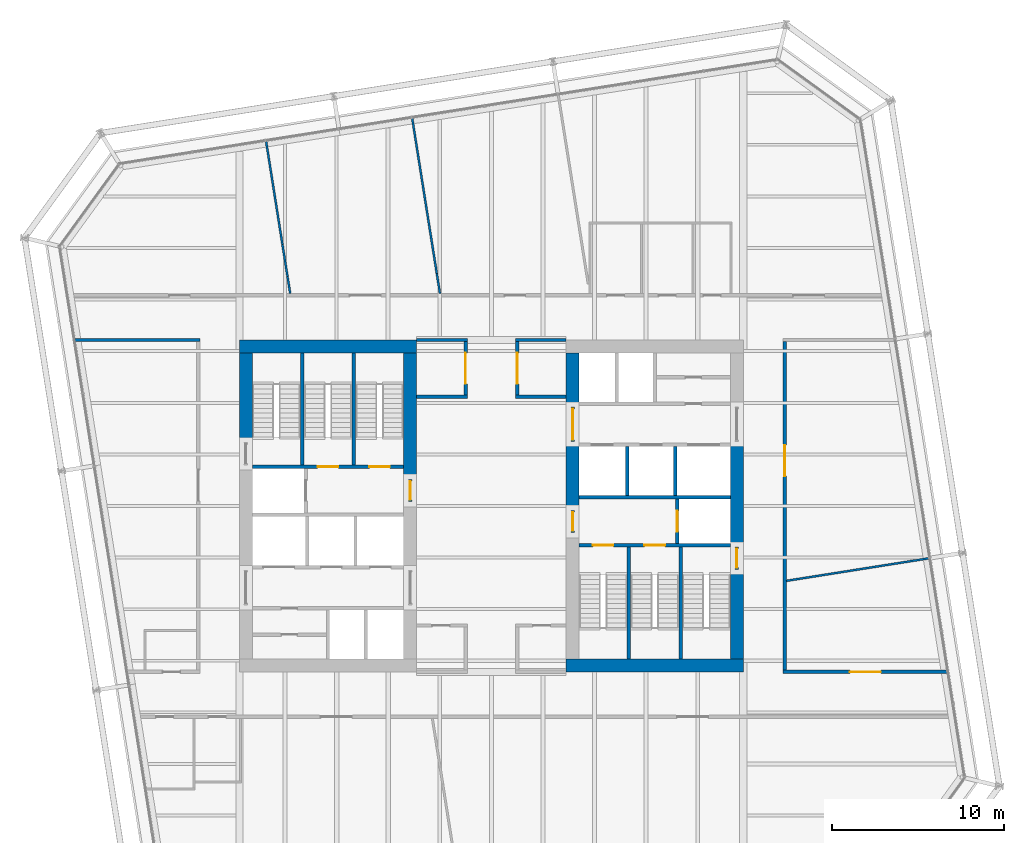
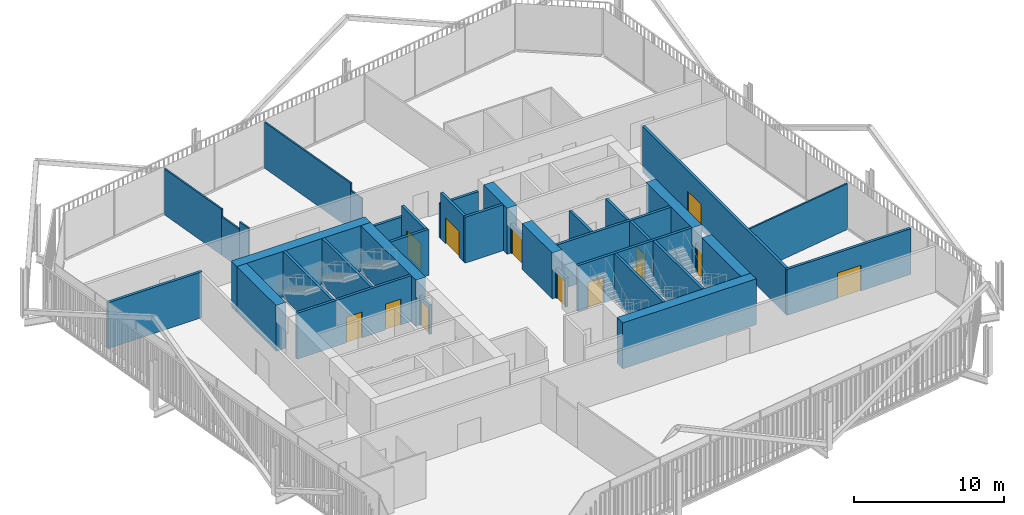
# One storey, part 19 of 22: 37 walls, 13 doors, 13 openings.
"""IFC4 building model written with IfcOpenShell, lengths in metres."""

from ifc_helpers import new_model, si_unit, direction, frame, frame_2d, origin, place, context, subcontext, project, spatial, rectangle, extrude, material, layer, layer_set, type_object, element, fill, save


model = new_model("IFC4")

# Units and contexts
model_context = context("Model", 3, precision=1e-05, world=origin(), true_north=direction((0.0, 1.0)))
body_context = subcontext(model_context, "Body", "Model", "MODEL_VIEW")
ifc_project = project(units=[si_unit("LENGTHUNIT", "METRE"), si_unit("AREAUNIT", "SQUARE_METRE"), si_unit("VOLUMEUNIT", "CUBIC_METRE"), si_unit("PLANEANGLEUNIT", "RADIAN"), si_unit("MASSUNIT", "GRAM", prefix="KILO")], contexts=[model_context])

# Site, building, storey
site_placement = place(None, origin())
site = spatial("IfcSite", under=ifc_project, at=site_placement, CompositionType="ELEMENT")
building_placement = place(site_placement, origin())
building = spatial("IfcBuilding", under=site, at=building_placement, Name="Millrace Tower", CompositionType="ELEMENT")
storey_placement = place(building_placement, frame((0.0, 0.0, 152.89990234375)))
storey = spatial("IfcBuildingStorey", under=building, at=storey_placement, Name="L34", CompositionType="ELEMENT", Elevation=152.89990234375)

# Walls
ifc_material_1 = material(Name="Concrete C70", Category="concrete")
ifc_layer_1 = layer(ifc_material_1, 0.75)
ifc_layer_set_1 = layer_set([ifc_layer_1], Name="Concrete C70")
wall_type_1 = type_object("IfcWallType", Name="Core wall 750 Concrete C70", PredefinedType="SHEAR", material=ifc_layer_set_1)
wall_1_placement = place(storey_placement, frame((-14.64990234375, 9.27490234375, 0.0), z_axis=(0.0, 0.0, 1.0), x_axis=(1.0, 0.0, 0.0)))
element("IfcWall", 1, at=wall_1_placement, inside=storey, type_object=wall_type_1, Name="Core wall W L34", PredefinedType="SHEAR", context=body_context, shape_type="SweptSolid", body=[
    extrude(rectangle(XDim=10.2998046875, YDim=0.75, at=frame_2d((5.14990234375, 0.0))), origin(), (0.0, 0.0, 1.0), 3.739990234375),
])
wall_2_placement = place(storey_placement, frame((-14.27490234375, 3.679931640625, 0.0), z_axis=(0.0, 0.0, 1.0), x_axis=(0.0, 1.0, 0.0)))
element("IfcWall", 2, at=wall_2_placement, inside=storey, type_object=wall_type_1, Name="Core wall W L34", PredefinedType="SHEAR", context=body_context, shape_type="SweptSolid", body=[
    extrude(rectangle(XDim=5.219970703125, YDim=0.75, at=frame_2d((2.60986328125, 0.0))), origin(), (0.0, 0.0, 1.0), 3.739990234375),
])
wall_3_placement = place(storey_placement, frame((-4.72509765625, 1.550048828125, 0.0), z_axis=(0.0, 0.0, 1.0), x_axis=(0.0, 1.0, 0.0)))
element("IfcWall", 3, at=wall_3_placement, inside=storey, type_object=wall_type_1, Name="Core wall W L34", PredefinedType="SHEAR", context=body_context, shape_type="SweptSolid", body=[
    extrude(rectangle(XDim=7.349853515625, YDim=0.75, at=frame_2d((3.6748046875, 0.0))), origin(), (0.0, 0.0, 1.0), 3.739990234375),
])
wall_4_placement = place(storey_placement, frame((14.64990234375, -9.27490234375, 0.0), z_axis=(0.0, 0.0, 1.0), x_axis=(-1.0, 0.0, 0.0)))
element("IfcWall", 4, at=wall_4_placement, inside=storey, type_object=wall_type_1, Name="Core wall E L34", PredefinedType="SHEAR", context=body_context, shape_type="SweptSolid", body=[
    extrude(rectangle(XDim=10.2998046875, YDim=0.75, at=frame_2d((5.14990234375, 0.0))), origin(), (0.0, 0.0, 1.0), 3.739990234375),
])
wall_5_placement = place(storey_placement, frame((14.27490234375, 3.75, 0.0), z_axis=(0.0, 0.0, 1.0), x_axis=(0.0, -1.0, 0.0)))
element("IfcWall", 5, at=wall_5_placement, inside=storey, type_object=wall_type_1, Name="Core wall E L34", PredefinedType="SHEAR", context=body_context, shape_type="SweptSolid", body=[
    extrude(rectangle(XDim=6.1298828125, YDim=0.75, at=frame_2d((3.06494140625, 0.0))), origin(), (0.0, 0.0, 1.0), 3.739990234375),
])
wall_6_placement = place(storey_placement, frame((14.27490234375, -3.679931640625, 0.0), z_axis=(0.0, 0.0, 1.0), x_axis=(0.0, -1.0, 0.0)))
element("IfcWall", 6, at=wall_6_placement, inside=storey, type_object=wall_type_1, Name="Core wall E L34", PredefinedType="SHEAR", context=body_context, shape_type="SweptSolid", body=[
    extrude(rectangle(XDim=5.219970703125, YDim=0.75, at=frame_2d((2.60986328125, 0.0))), origin(), (0.0, 0.0, 1.0), 3.739990234375),
])
wall_7_placement = place(storey_placement, frame((4.72509765625, 8.89990234375, 0.0), z_axis=(0.0, 0.0, 1.0), x_axis=(0.0, -1.0, 0.0)))
element("IfcWall", 7, at=wall_7_placement, inside=storey, type_object=wall_type_1, Name="Core wall E L34", PredefinedType="SHEAR", context=body_context, shape_type="SweptSolid", body=[
    extrude(rectangle(XDim=3.14990234375, YDim=0.75, at=frame_2d((1.574951171875, 0.0))), origin(), (0.0, 0.0, 1.0), 3.739990234375),
])
wall_8_placement = place(storey_placement, frame((4.72509765625, 3.75, 0.0), z_axis=(0.0, 0.0, 1.0), x_axis=(0.0, -1.0, 0.0)))
element("IfcWall", 8, at=wall_8_placement, inside=storey, type_object=wall_type_1, Name="Core wall E L34", PredefinedType="SHEAR", context=body_context, shape_type="SweptSolid", body=[
    extrude(rectangle(XDim=4.0, YDim=0.75, at=frame_2d((2.0, 0.0))), origin(), (0.0, 0.0, 1.0), 3.739990234375),
])

# Wall, opening, door
ifc_material_2 = material(Name="Masonry partition, fire-rated", Category="masonry")
ifc_layer_2 = layer(ifc_material_2, 0.199951171875)
ifc_layer_set_2 = layer_set([ifc_layer_2], Name="Masonry partition, fire-rated")
wall_type_2 = type_object("IfcWallType", Name="Corridor wall 200", PredefinedType="PARTITIONING", material=ifc_layer_set_2)
wall_9_placement = place(storey_placement, frame((16.949951171875, -9.64990234375, 0.0), z_axis=(0.0, 0.0, 1.0), x_axis=(1.0, 0.0, 0.0)))
wall_9 = element("IfcWall", 9, at=wall_9_placement, inside=storey, type_object=wall_type_2, Name="Corridor wall L34", PredefinedType="PARTITIONING", context=body_context, shape_type="SweptSolid", body=[
    extrude(rectangle(XDim=9.54638671875, YDim=0.199951171875, at=frame_2d((4.773193359375, 0.0))), origin(), (0.0, 0.0, 1.0), 3.739990234375),
])
opening_1_placement = place(wall_9_placement, frame((3.89794921875, 0.0, 0.0)))
opening_1 = element("IfcOpeningElement", 10, at=opening_1_placement, cuts=wall_9, Name="Opening 34-P012", PredefinedType="OPENING", context=body_context, shape_type="SweptSolid", body=[
    extrude(rectangle(XDim=1.800048828125, YDim=2.10009765625, at=frame_2d((0.89990234375, 1.050048828125))), frame((0.0, 0.10986328125, 0.0), z_axis=(0.0, -1.0, 0.0), x_axis=(1.0, 0.0, 0.0)), (0.0, 0.0, 1.0), 0.219970703125),
])
ifc_material_3 = material(Name="Steel door set, fire-rated", Category="steel")
door_type_1 = type_object("IfcDoorType", Name="Corridor door 1800 x 2100", OperationType="DOUBLE_DOOR_SINGLE_SWING", PredefinedType="DOOR", material=ifc_material_3)
door_1_placement = place(opening_1_placement, origin())
door_1 = element("IfcDoor", 11, at=door_1_placement, inside=storey, type_object=door_type_1, Name="Door 34-P012", OperationType="DOUBLE_DOOR_SINGLE_SWING", OverallHeight=2.10009765625, OverallWidth=1.800048828125, PredefinedType="DOOR", context=body_context, shape_type="SweptSolid", body=[
    extrude(rectangle(XDim=1.800048828125, YDim=2.10009765625, at=frame_2d((0.89990234375, 1.050048828125))), frame((0.0, 0.02490234375, 0.0), z_axis=(0.0, -1.0, 0.0), x_axis=(1.0, 0.0, 0.0)), (0.0, 0.0, 1.0), 0.050048828125),
])
fill(opening_1, door_1)

# Walls
for number, where, z_axis, x_axis, name in (
    (12, (-4.35009765625, 6.35009765625, 0.0), (0.0, 0.0, 1.0), (1.0, 0.0, 0.0), "Corridor wall L34"),
    (13, (1.39990234375, 6.35009765625, 0.0), (0.0, 0.0, 1.0), (1.0, 0.0, 0.0), "Corridor wall L34"),
):
    element("IfcWall", number, at=place(storey_placement, frame(where, z_axis=z_axis, x_axis=x_axis)), inside=storey, type_object=wall_type_2, Name=name, PredefinedType="PARTITIONING", context=body_context, shape_type="SweptSolid", body=[
        extrude(rectangle(XDim=2.9501953125, YDim=0.199951171875, at=frame_2d((1.47509765625, 0.0))), origin(), (0.0, 0.0, 1.0), 3.739990234375),
    ])
wall_10_placement = place(storey_placement, frame((-24.20703125, 9.64990234375, 0.0), z_axis=(0.0, 0.0, 1.0), x_axis=(1.0, 0.0, 0.0)))
element("IfcWall", 14, at=wall_10_placement, inside=storey, type_object=wall_type_2, Name="Corridor wall L34", PredefinedType="PARTITIONING", context=body_context, shape_type="SweptSolid", body=[
    extrude(rectangle(XDim=7.257080078125, YDim=0.199951171875, at=frame_2d((3.62841796875, 0.0))), origin(), (0.0, 0.0, 1.0), 3.739990234375),
])
for number, where, z_axis, x_axis, name in (
    (15, (-4.35009765625, 9.64990234375, 0.0), (0.0, 0.0, 1.0), (1.0, 0.0, 0.0), "Corridor wall L34"),
    (16, (1.39990234375, 9.64990234375, 0.0), (0.0, 0.0, 1.0), (1.0, 0.0, 0.0), "Corridor wall L34"),
):
    element("IfcWall", number, at=place(storey_placement, frame(where, z_axis=z_axis, x_axis=x_axis)), inside=storey, type_object=wall_type_2, Name=name, PredefinedType="PARTITIONING", context=body_context, shape_type="SweptSolid", body=[
        extrude(rectangle(XDim=2.9501953125, YDim=0.199951171875, at=frame_2d((1.47509765625, 0.0))), origin(), (0.0, 0.0, 1.0), 2.81298828125),
    ])

# Wall, opening, door
wall_11_placement = place(storey_placement, frame((17.050048828125, -9.550048828125, 0.0), z_axis=(0.0, 0.0, 1.0), x_axis=(0.0, 1.0, 0.0)))
wall_11 = element("IfcWall", 17, at=wall_11_placement, inside=storey, type_object=wall_type_2, Name="Corridor wall L34", PredefinedType="PARTITIONING", context=body_context, shape_type="SweptSolid", body=[
    extrude(rectangle(XDim=19.10009765625, YDim=0.199951171875, at=frame_2d((9.550048828125, 0.0))), origin(), (0.0, 0.0, 1.0), 3.739990234375),
])
opening_2_placement = place(wall_11_placement, frame((11.2900390625, 0.0, 0.0)))
opening_2 = element("IfcOpeningElement", 18, at=opening_2_placement, cuts=wall_11, Name="Opening 34-P013", PredefinedType="OPENING", context=body_context, shape_type="SweptSolid", body=[
    extrude(rectangle(XDim=1.800048828125, YDim=2.10009765625, at=frame_2d((0.89990234375, 1.050048828125))), frame((0.0, 0.10986328125, 0.0), z_axis=(0.0, -1.0, 0.0), x_axis=(1.0, 0.0, 0.0)), (0.0, 0.0, 1.0), 0.219970703125),
])
door_2_placement = place(opening_2_placement, frame((1.800048828125, 0.0, 0.0), z_axis=(0.0, 0.0, 1.0), x_axis=(-1.0, 0.0, 0.0)))
door_2 = element("IfcDoor", 19, at=door_2_placement, inside=storey, type_object=door_type_1, Name="Door 34-P013", OperationType="DOUBLE_DOOR_SINGLE_SWING", OverallHeight=2.10009765625, OverallWidth=1.800048828125, PredefinedType="DOOR", context=body_context, shape_type="SweptSolid", body=[
    extrude(rectangle(XDim=1.800048828125, YDim=2.10009765625, at=frame_2d((0.89990234375, 1.050048828125))), frame((0.0, 0.02490234375, 0.0), z_axis=(0.0, -1.0, 0.0), x_axis=(1.0, 0.0, 0.0)), (0.0, 0.0, 1.0), 0.050048828125),
])
fill(opening_2, door_2)

wall_12_placement = place(storey_placement, frame((1.5, 6.449951171875, 0.0), z_axis=(0.0, 0.0, 1.0), x_axis=(0.0, 1.0, 0.0)))
wall_12 = element("IfcWall", 20, at=wall_12_placement, inside=storey, type_object=wall_type_2, Name="Corridor wall L34", PredefinedType="PARTITIONING", context=body_context, shape_type="SweptSolid", body=[
    extrude(rectangle(XDim=3.10009765625, YDim=0.199951171875, at=frame_2d((1.550048828125, 0.0))), origin(), (0.0, 0.0, 1.0), 3.739990234375),
])
opening_3_placement = place(wall_12_placement, frame((0.64990234375, 0.0, 0.0)))
opening_3 = element("IfcOpeningElement", 21, at=opening_3_placement, cuts=wall_12, Name="Opening 34-P002", PredefinedType="OPENING", context=body_context, shape_type="SweptSolid", body=[
    extrude(rectangle(XDim=1.800048828125, YDim=2.10009765625, at=frame_2d((0.89990234375, 1.050048828125))), frame((0.0, 0.10986328125, 0.0), z_axis=(0.0, -1.0, 0.0), x_axis=(1.0, 0.0, 0.0)), (0.0, 0.0, 1.0), 0.219970703125),
])
ifc_material_4 = material(Name="Steel door set, fire-rated", Category="steel")
door_type_2 = type_object("IfcDoorType", Name="Data hall door 1800 x 2100", OperationType="DOUBLE_DOOR_SINGLE_SWING", PredefinedType="DOOR", material=ifc_material_4)
door_3_placement = place(opening_3_placement, frame((1.800048828125, 0.0, 0.0), z_axis=(0.0, 0.0, 1.0), x_axis=(-1.0, 0.0, 0.0)))
door_3 = element("IfcDoor", 22, at=door_3_placement, inside=storey, type_object=door_type_2, Name="Door 34-P002", OperationType="DOUBLE_DOOR_SINGLE_SWING", OverallHeight=2.10009765625, OverallWidth=1.800048828125, PredefinedType="DOOR", context=body_context, shape_type="SweptSolid", body=[
    extrude(rectangle(XDim=1.800048828125, YDim=2.10009765625, at=frame_2d((0.89990234375, 1.050048828125))), frame((0.0, 0.02490234375, 0.0), z_axis=(0.0, -1.0, 0.0), x_axis=(1.0, 0.0, 0.0)), (0.0, 0.0, 1.0), 0.050048828125),
])
fill(opening_3, door_3)

wall_13_placement = place(storey_placement, frame((-1.5, 6.449951171875, 0.0), z_axis=(0.0, 0.0, 1.0), x_axis=(0.0, 1.0, 0.0)))
wall_13 = element("IfcWall", 23, at=wall_13_placement, inside=storey, type_object=wall_type_2, Name="Corridor wall L34", PredefinedType="PARTITIONING", context=body_context, shape_type="SweptSolid", body=[
    extrude(rectangle(XDim=3.10009765625, YDim=0.199951171875, at=frame_2d((1.550048828125, 0.0))), origin(), (0.0, 0.0, 1.0), 3.739990234375),
])
opening_4_placement = place(wall_13_placement, frame((0.64990234375, 0.0, 0.0)))
opening_4 = element("IfcOpeningElement", 24, at=opening_4_placement, cuts=wall_13, Name="Opening 34-P001", PredefinedType="OPENING", context=body_context, shape_type="SweptSolid", body=[
    extrude(rectangle(XDim=1.800048828125, YDim=2.10009765625, at=frame_2d((0.89990234375, 1.050048828125))), frame((0.0, 0.10986328125, 0.0), z_axis=(0.0, -1.0, 0.0), x_axis=(1.0, 0.0, 0.0)), (0.0, 0.0, 1.0), 0.219970703125),
])
door_4_placement = place(opening_4_placement, origin())
door_4 = element("IfcDoor", 25, at=door_4_placement, inside=storey, type_object=door_type_2, Name="Door 34-P001", OperationType="DOUBLE_DOOR_SINGLE_SWING", OverallHeight=2.10009765625, OverallWidth=1.800048828125, PredefinedType="DOOR", context=body_context, shape_type="SweptSolid", body=[
    extrude(rectangle(XDim=1.800048828125, YDim=2.10009765625, at=frame_2d((0.89990234375, 1.050048828125))), frame((0.0, 0.02490234375, 0.0), z_axis=(0.0, -1.0, 0.0), x_axis=(1.0, 0.0, 0.0)), (0.0, 0.0, 1.0), 0.050048828125),
])
fill(opening_4, door_4)

# Wall
ifc_material_5 = material(Name="Masonry partition, fire-rated", Category="masonry")
ifc_layer_3 = layer(ifc_material_5, 0.199951171875)
ifc_layer_set_3 = layer_set([ifc_layer_3], Name="Masonry partition, fire-rated")
wall_type_3 = type_object("IfcWallType", Name="Lift shaft wall 200", PredefinedType="PARTITIONING", material=ifc_layer_set_3)
wall_14_placement = place(storey_placement, frame((13.89990234375, 0.5, 0.0), z_axis=(0.0, 0.0, 1.0), x_axis=(-1.0, 0.0, 0.0)))
element("IfcWall", 26, at=wall_14_placement, inside=storey, type_object=wall_type_3, Name="Lift shaft wall E L34", PredefinedType="PARTITIONING", context=body_context, shape_type="SweptSolid", body=[
    extrude(rectangle(XDim=8.7998046875, YDim=0.199951171875, at=frame_2d((4.39990234375, 0.0))), origin(), (0.0, 0.0, 1.0), 3.739990234375),
])

# Wall, opening, door
wall_15_placement = place(storey_placement, frame((10.800048828125, 0.39990234375, 0.0), z_axis=(0.0, 0.0, 1.0), x_axis=(0.0, -1.0, 0.0)))
wall_15 = element("IfcWall", 27, at=wall_15_placement, inside=storey, type_object=wall_type_3, Name="Lift shaft wall E L34", PredefinedType="PARTITIONING", context=body_context, shape_type="SweptSolid", body=[
    extrude(rectangle(XDim=2.579833984375, YDim=0.199951171875, at=frame_2d((1.2900390625, 0.0))), origin(), (0.0, 0.0, 1.0), 3.739990234375),
])
opening_5_placement = place(wall_15_placement, frame((0.68994140625, 0.0, 0.0)))
opening_5 = element("IfcOpeningElement", 28, at=opening_5_placement, cuts=wall_15, Name="Opening 34-LD16", PredefinedType="OPENING", context=body_context, shape_type="SweptSolid", body=[
    extrude(rectangle(XDim=1.199951171875, YDim=2.10009765625, at=frame_2d((0.60009765625, 1.050048828125))), frame((0.0, 0.10986328125, 0.0), z_axis=(0.0, -1.0, 0.0), x_axis=(1.0, 0.0, 0.0)), (0.0, 0.0, 1.0), 0.219970703125),
])
ifc_material_6 = material(Name="Stainless steel, fire-rated", Category="steel")
door_type_3 = type_object("IfcDoorType", Name="Lift landing door 1200 x 2100", OperationType="DOUBLE_DOOR_SLIDING", PredefinedType="DOOR", material=ifc_material_6)
door_5_placement = place(opening_5_placement, origin())
door_5 = element("IfcDoor", 29, at=door_5_placement, inside=storey, type_object=door_type_3, Name="Lift landing door LF16 L34", OperationType="DOUBLE_DOOR_SLIDING", OverallHeight=2.10009765625, OverallWidth=1.199951171875, PredefinedType="DOOR", context=body_context, shape_type="SweptSolid", body=[
    extrude(rectangle(XDim=1.199951171875, YDim=2.10009765625, at=frame_2d((0.60009765625, 1.050048828125))), frame((0.0, 0.02490234375, 0.0), z_axis=(0.0, -1.0, 0.0), x_axis=(1.0, 0.0, 0.0)), (0.0, 0.0, 1.0), 0.050048828125),
])
fill(opening_5, door_5)

# Walls
for number, where, z_axis, x_axis, name in (
    (30, (10.699951171875, 3.449951171875, 0.0), (0.0, 0.0, 1.0), (0.0, -1.0, 0.0), "Lift shaft wall E L34"),
    (31, (7.89990234375, 3.449951171875, 0.0), (0.0, 0.0, 1.0), (0.0, -1.0, 0.0), "Lift shaft wall E L34"),
):
    element("IfcWall", number, at=place(storey_placement, frame(where, z_axis=z_axis, x_axis=x_axis)), inside=storey, type_object=wall_type_3, Name=name, PredefinedType="PARTITIONING", context=body_context, shape_type="SweptSolid", body=[
        extrude(rectangle(XDim=2.849853515625, YDim=0.199951171875, at=frame_2d((1.4248046875, 0.0))), origin(), (0.0, 0.0, 1.0), 3.739990234375),
    ])

# Wall, opening, door
ifc_material_7 = material(Name="Masonry partition, fire-rated", Category="masonry")
ifc_layer_4 = layer(ifc_material_7, 0.199951171875)
ifc_layer_set_4 = layer_set([ifc_layer_4], Name="Masonry partition, fire-rated")
wall_type_4 = type_object("IfcWallType", Name="Lobby wall 200", PredefinedType="PARTITIONING", material=ifc_layer_set_4)
wall_16_placement = place(storey_placement, frame((-4.72509765625, 0.25, 0.0), z_axis=(0.0, 0.0, 1.0), x_axis=(0.0, 1.0, 0.0)))
wall_16 = element("IfcWall", 32, at=wall_16_placement, inside=storey, type_object=wall_type_4, Name="Lobby wall W L34", PredefinedType="PARTITIONING", context=body_context, shape_type="SweptSolid", body=[
    extrude(rectangle(XDim=1.300048828125, YDim=0.199951171875, at=frame_2d((0.64990234375, 0.0))), origin(), (0.0, 0.0, 1.0), 2.400146484375),
])
opening_6_placement = place(wall_16_placement, frame((0.10009765625, 0.0, 0.0)))
opening_6 = element("IfcOpeningElement", 33, at=opening_6_placement, cuts=wall_16, Name="Opening 34-C004", PredefinedType="OPENING", context=body_context, shape_type="SweptSolid", body=[
    extrude(rectangle(XDim=1.10009765625, YDim=2.10009765625, at=frame_2d((0.550048828125, 1.050048828125))), frame((0.0, 0.10986328125, 0.0), z_axis=(0.0, -1.0, 0.0), x_axis=(1.0, 0.0, 0.0)), (0.0, 0.0, 1.0), 0.219970703125),
])
ifc_material_8 = material(Name="Steel door, fire-rated", Category="steel")
door_type_4 = type_object("IfcDoorType", Name="Lobby door 1100 x 2100", OperationType="SINGLE_SWING_LEFT", PredefinedType="DOOR", material=ifc_material_8)
door_6_placement = place(opening_6_placement, origin())
door_6 = element("IfcDoor", 34, at=door_6_placement, inside=storey, type_object=door_type_4, Name="Lobby door 34-C004", OperationType="SINGLE_SWING_LEFT", OverallHeight=2.10009765625, OverallWidth=1.10009765625, PredefinedType="DOOR", context=body_context, shape_type="SweptSolid", body=[
    extrude(rectangle(XDim=1.10009765625, YDim=2.10009765625, at=frame_2d((0.550048828125, 1.050048828125))), frame((0.0, 0.02490234375, 0.0), z_axis=(0.0, -1.0, 0.0), x_axis=(1.0, 0.0, 0.0)), (0.0, 0.0, 1.0), 0.050048828125),
])
fill(opening_6, door_6)

wall_17_placement = place(storey_placement, frame((4.72509765625, 5.75, 0.0), z_axis=(0.0, 0.0, 1.0), x_axis=(0.0, -1.0, 0.0)))
wall_17 = element("IfcWall", 35, at=wall_17_placement, inside=storey, type_object=wall_type_4, Name="Lobby wall E L34", PredefinedType="PARTITIONING", context=body_context, shape_type="SweptSolid", body=[
    extrude(rectangle(XDim=2.0, YDim=0.199951171875, at=frame_2d((1.0, 0.0))), origin(), (0.0, 0.0, 1.0), 2.400146484375),
])
opening_7_placement = place(wall_17_placement, frame((0.10009765625, 0.0, 0.0)))
opening_7 = element("IfcOpeningElement", 36, at=opening_7_placement, cuts=wall_17, Name="Opening 34-C011", PredefinedType="OPENING", context=body_context, shape_type="SweptSolid", body=[
    extrude(rectangle(XDim=1.800048828125, YDim=2.10009765625, at=frame_2d((0.89990234375, 1.050048828125))), frame((0.0, 0.10986328125, 0.0), z_axis=(0.0, -1.0, 0.0), x_axis=(1.0, 0.0, 0.0)), (0.0, 0.0, 1.0), 0.219970703125),
])
ifc_material_9 = material(Name="Steel door, fire-rated", Category="steel")
door_type_5 = type_object("IfcDoorType", Name="Lobby door 1800 x 2100", OperationType="DOUBLE_DOOR_SINGLE_SWING", PredefinedType="DOOR", material=ifc_material_9)
door_7_placement = place(opening_7_placement, origin())
door_7 = element("IfcDoor", 37, at=door_7_placement, inside=storey, type_object=door_type_5, Name="Lobby door 34-C011", OperationType="DOUBLE_DOOR_SINGLE_SWING", OverallHeight=2.10009765625, OverallWidth=1.800048828125, PredefinedType="DOOR", context=body_context, shape_type="SweptSolid", body=[
    extrude(rectangle(XDim=1.800048828125, YDim=2.10009765625, at=frame_2d((0.89990234375, 1.050048828125))), frame((0.0, 0.02490234375, 0.0), z_axis=(0.0, -1.0, 0.0), x_axis=(1.0, 0.0, 0.0)), (0.0, 0.0, 1.0), 0.050048828125),
])
fill(opening_7, door_7)

wall_18_placement = place(storey_placement, frame((4.72509765625, -0.25, 0.0), z_axis=(0.0, 0.0, 1.0), x_axis=(0.0, -1.0, 0.0)))
wall_18 = element("IfcWall", 38, at=wall_18_placement, inside=storey, type_object=wall_type_4, Name="Lobby wall E L34", PredefinedType="PARTITIONING", context=body_context, shape_type="SweptSolid", body=[
    extrude(rectangle(XDim=1.300048828125, YDim=0.199951171875, at=frame_2d((0.64990234375, 0.0))), origin(), (0.0, 0.0, 1.0), 2.400146484375),
])
opening_8_placement = place(wall_18_placement, frame((0.10009765625, 0.0, 0.0)))
opening_8 = element("IfcOpeningElement", 39, at=opening_8_placement, cuts=wall_18, Name="Opening 34-C012", PredefinedType="OPENING", context=body_context, shape_type="SweptSolid", body=[
    extrude(rectangle(XDim=1.10009765625, YDim=2.10009765625, at=frame_2d((0.550048828125, 1.050048828125))), frame((0.0, 0.10986328125, 0.0), z_axis=(0.0, -1.0, 0.0), x_axis=(1.0, 0.0, 0.0)), (0.0, 0.0, 1.0), 0.219970703125),
])
door_8_placement = place(opening_8_placement, origin())
door_8 = element("IfcDoor", 40, at=door_8_placement, inside=storey, type_object=door_type_4, Name="Lobby door 34-C012", OperationType="SINGLE_SWING_RIGHT", OverallHeight=2.10009765625, OverallWidth=1.10009765625, PredefinedType="DOOR", context=body_context, shape_type="SweptSolid", body=[
    extrude(rectangle(XDim=1.10009765625, YDim=2.10009765625, at=frame_2d((0.550048828125, 1.050048828125))), frame((0.0, 0.02490234375, 0.0), z_axis=(0.0, -1.0, 0.0), x_axis=(1.0, 0.0, 0.0)), (0.0, 0.0, 1.0), 0.050048828125),
])
fill(opening_8, door_8)

# Walls
ifc_material_10 = material(Name="Gypsum board partition")
ifc_layer_5 = layer(ifc_material_10, 0.1201171875)
ifc_layer_set_5 = layer_set([ifc_layer_5], Name="Gypsum board partition")
wall_type_5 = type_object("IfcWallType", Name="Partition wall 120", PredefinedType="PARTITIONING", material=ifc_layer_set_5)
wall_19_placement = place(storey_placement, frame((-13.098876953125, 21.20849609375, 0.0), z_axis=(0.0, 0.0, 1.0), x_axis=(0.156435215838, -0.98768822168, 0.0)))
element("IfcWall", 41, at=wall_19_placement, inside=storey, type_object=wall_type_5, Name="Partition wall L34", PredefinedType="PARTITIONING", context=body_context, shape_type="SweptSolid", body=[
    extrude(rectangle(XDim=6.073974609375, YDim=0.1201171875, at=frame_2d((3.037109375, 0.0))), origin(), (0.0, 0.0, 1.0), 3.739990234375),
])
wall_20_placement = place(storey_placement, frame((-12.148681640625, 15.209228515625, 0.0), z_axis=(0.0, 0.0, 1.0), x_axis=(0.156437428752, -0.987687871185, 0.0)))
element("IfcWall", 42, at=wall_20_placement, inside=storey, type_object=wall_type_5, Name="Partition wall L34", PredefinedType="PARTITIONING", context=body_context, shape_type="SweptSolid", body=[
    extrude(rectangle(XDim=1.90087890625, YDim=0.1201171875, at=frame_2d((0.950439453125, 0.0))), origin(), (0.0, 0.0, 1.0), 3.13818359375),
])
wall_21_placement = place(storey_placement, frame((-11.851318359375, 13.331787109375, 0.0), z_axis=(0.0, 0.0, 1.0), x_axis=(0.156516849034, -0.98767528873, 0.0)))
element("IfcWall", 43, at=wall_21_placement, inside=storey, type_object=wall_type_5, Name="Partition wall L34", PredefinedType="PARTITIONING", context=body_context, shape_type="SweptSolid", body=[
    extrude(rectangle(XDim=0.9951171875, YDim=0.1201171875, at=frame_2d((0.49755859375, 0.0))), origin(), (0.0, 0.0, 1.0), 3.739990234375),
])
wall_22_placement = place(storey_placement, frame((-4.604736328125, 22.553955078125, 0.0), z_axis=(0.0, 0.0, 1.0), x_axis=(0.156514999097, -0.987675581888, 0.0)))
element("IfcWall", 44, at=wall_22_placement, inside=storey, type_object=wall_type_5, Name="Partition wall L34", PredefinedType="PARTITIONING", context=body_context, shape_type="SweptSolid", body=[
    extrude(rectangle(XDim=9.1455078125, YDim=0.1201171875, at=frame_2d((4.57275390625, 0.0))), origin(), (0.0, 0.0, 1.0), 3.739990234375),
])
wall_23_placement = place(storey_placement, frame((-3.17333984375, 13.521240234375, 0.0), z_axis=(0.0, 0.0, 1.0), x_axis=(0.15652233103, -0.987674419983, 0.0)))
element("IfcWall", 45, at=wall_23_placement, inside=storey, type_object=wall_type_5, Name="Partition wall L34", PredefinedType="PARTITIONING", context=body_context, shape_type="SweptSolid", body=[
    extrude(rectangle(XDim=1.18701171875, YDim=0.1201171875, at=frame_2d((0.593505859375, 0.0))), origin(), (0.0, 0.0, 1.0), 3.133056640625),
])
wall_24_placement = place(storey_placement, frame((17.148681640625, -4.354248046875, 0.0), z_axis=(0.0, 0.0, 1.0), x_axis=(0.987702120758, 0.156347435703, 0.0)))
element("IfcWall", 46, at=wall_24_placement, inside=storey, type_object=wall_type_5, Name="Partition wall L34", PredefinedType="PARTITIONING", context=body_context, shape_type="SweptSolid", body=[
    extrude(rectangle(XDim=8.404052734375, YDim=0.1201171875, at=frame_2d((4.2021484375, 0.0))), origin(), (0.0, 0.0, 1.0), 3.739990234375),
])

# Wall, openings, doors
ifc_material_11 = material(Name="Concrete C40", Category="concrete")
ifc_layer_6 = layer(ifc_material_11, 0.199951171875)
ifc_layer_set_6 = layer_set([ifc_layer_6], Name="Concrete C40")
wall_type_6 = type_object("IfcWallType", Name="Stair enclosure wall 200 Concrete C40", PredefinedType="SHEAR", material=ifc_layer_set_6)
wall_25_placement = place(storey_placement, frame((-13.89990234375, 2.280029296875, 0.0), z_axis=(0.0, 0.0, 1.0), x_axis=(1.0, 0.0, 0.0)))
wall_25 = element("IfcWall", 47, at=wall_25_placement, inside=storey, type_object=wall_type_6, Name="Stair enclosure wall W L34", PredefinedType="SHEAR", context=body_context, shape_type="SweptSolid", body=[
    extrude(rectangle(XDim=8.7998046875, YDim=0.199951171875, at=frame_2d((4.39990234375, 0.0))), origin(), (0.0, 0.0, 1.0), 3.739990234375),
])
opening_9_placement = place(wall_25_placement, frame((3.800048828125, 0.0, 0.0)))
opening_9 = element("IfcOpeningElement", 48, at=opening_9_placement, cuts=wall_25, Name="Opening 34-C007", PredefinedType="OPENING", context=body_context, shape_type="SweptSolid", body=[
    extrude(rectangle(XDim=1.199951171875, YDim=2.10009765625, at=frame_2d((0.60009765625, 1.050048828125))), frame((0.0, 0.10986328125, 0.0), z_axis=(0.0, -1.0, 0.0), x_axis=(1.0, 0.0, 0.0)), (0.0, 0.0, 1.0), 0.219970703125),
])
opening_10_placement = place(wall_25_placement, frame((6.800048828125, 0.0, 0.0)))
opening_10 = element("IfcOpeningElement", 49, at=opening_10_placement, cuts=wall_25, Name="Opening 34-C008", PredefinedType="OPENING", context=body_context, shape_type="SweptSolid", body=[
    extrude(rectangle(XDim=1.199951171875, YDim=2.10009765625, at=frame_2d((0.60009765625, 1.050048828125))), frame((0.0, 0.10986328125, 0.0), z_axis=(0.0, -1.0, 0.0), x_axis=(1.0, 0.0, 0.0)), (0.0, 0.0, 1.0), 0.219970703125),
])
ifc_material_12 = material(Name="Steel door, fire-rated", Category="steel")
door_type_6 = type_object("IfcDoorType", Name="Stair door 1200 x 2100", OperationType="SINGLE_SWING_LEFT", PredefinedType="DOOR", material=ifc_material_12)
door_9_placement = place(opening_9_placement, frame((1.199951171875, 0.0, 0.0), z_axis=(0.0, 0.0, 1.0), x_axis=(-1.0, 0.0, 0.0)))
door_9 = element("IfcDoor", 50, at=door_9_placement, inside=storey, type_object=door_type_6, Name="Stair door 34-C007", OperationType="SINGLE_SWING_RIGHT", OverallHeight=2.10009765625, OverallWidth=1.199951171875, PredefinedType="DOOR", context=body_context, shape_type="SweptSolid", body=[
    extrude(rectangle(XDim=1.199951171875, YDim=2.10009765625, at=frame_2d((0.60009765625, 1.050048828125))), frame((0.0, 0.02490234375, 0.0), z_axis=(0.0, -1.0, 0.0), x_axis=(1.0, 0.0, 0.0)), (0.0, 0.0, 1.0), 0.050048828125),
])
fill(opening_9, door_9)
door_10_placement = place(opening_10_placement, frame((1.199951171875, 0.0, 0.0), z_axis=(0.0, 0.0, 1.0), x_axis=(-1.0, 0.0, 0.0)))
door_10 = element("IfcDoor", 51, at=door_10_placement, inside=storey, type_object=door_type_6, Name="Stair door 34-C008", OperationType="SINGLE_SWING_LEFT", OverallHeight=2.10009765625, OverallWidth=1.199951171875, PredefinedType="DOOR", context=body_context, shape_type="SweptSolid", body=[
    extrude(rectangle(XDim=1.199951171875, YDim=2.10009765625, at=frame_2d((0.60009765625, 1.050048828125))), frame((0.0, 0.02490234375, 0.0), z_axis=(0.0, -1.0, 0.0), x_axis=(1.0, 0.0, 0.0)), (0.0, 0.0, 1.0), 0.050048828125),
])
fill(opening_10, door_10)

# Walls
for number, where, z_axis, x_axis, name in (
    (52, (-11.0, 2.3798828125, 0.0), (0.0, 0.0, 1.0), (0.0, 1.0, 0.0), "Stair enclosure wall W L34"),
    (53, (-8.0, 2.3798828125, 0.0), (0.0, 0.0, 1.0), (0.0, 1.0, 0.0), "Stair enclosure wall W L34"),
):
    element("IfcWall", number, at=place(storey_placement, frame(where, z_axis=z_axis, x_axis=x_axis)), inside=storey, type_object=wall_type_6, Name=name, PredefinedType="SHEAR", context=body_context, shape_type="SweptSolid", body=[
        extrude(rectangle(XDim=6.52001953125, YDim=0.199951171875, at=frame_2d((3.260009765625, 0.0))), origin(), (0.0, 0.0, 1.0), 3.739990234375),
    ])

# Wall, opening, door
wall_26_placement = place(storey_placement, frame((14.27490234375, -2.3798828125, 0.0), z_axis=(0.0, 0.0, 1.0), x_axis=(0.0, -1.0, 0.0)))
wall_26 = element("IfcWall", 54, at=wall_26_placement, inside=storey, type_object=wall_type_6, Name="Stair enclosure wall E L34", PredefinedType="SHEAR", context=body_context, shape_type="SweptSolid", body=[
    extrude(rectangle(XDim=1.300048828125, YDim=0.199951171875, at=frame_2d((0.64990234375, 0.0))), origin(), (0.0, 0.0, 1.0), 2.400146484375),
])
opening_11_placement = place(wall_26_placement, frame((0.10009765625, 0.0, 0.0)))
opening_11 = element("IfcOpeningElement", 55, at=opening_11_placement, cuts=wall_26, Name="Opening 34-C010", PredefinedType="OPENING", context=body_context, shape_type="SweptSolid", body=[
    extrude(rectangle(XDim=1.10009765625, YDim=2.10009765625, at=frame_2d((0.550048828125, 1.050048828125))), frame((0.0, 0.10986328125, 0.0), z_axis=(0.0, -1.0, 0.0), x_axis=(1.0, 0.0, 0.0)), (0.0, 0.0, 1.0), 0.219970703125),
])
ifc_material_13 = material(Name="Steel door, fire-rated", Category="steel")
door_type_7 = type_object("IfcDoorType", Name="Stair door 1100 x 2100", OperationType="SINGLE_SWING_LEFT", PredefinedType="DOOR", material=ifc_material_13)
door_11_placement = place(opening_11_placement, origin())
door_11 = element("IfcDoor", 56, at=door_11_placement, inside=storey, type_object=door_type_7, Name="Stair door 34-C010", OperationType="SINGLE_SWING_LEFT", OverallHeight=2.10009765625, OverallWidth=1.10009765625, PredefinedType="DOOR", context=body_context, shape_type="SweptSolid", body=[
    extrude(rectangle(XDim=1.10009765625, YDim=2.10009765625, at=frame_2d((0.550048828125, 1.050048828125))), frame((0.0, 0.02490234375, 0.0), z_axis=(0.0, -1.0, 0.0), x_axis=(1.0, 0.0, 0.0)), (0.0, 0.0, 1.0), 0.050048828125),
])
fill(opening_11, door_11)

# Wall, openings, doors
wall_27_placement = place(storey_placement, frame((13.89990234375, -2.280029296875, 0.0), z_axis=(0.0, 0.0, 1.0), x_axis=(-1.0, 0.0, 0.0)))
wall_27 = element("IfcWall", 57, at=wall_27_placement, inside=storey, type_object=wall_type_6, Name="Stair enclosure wall E L34", PredefinedType="SHEAR", context=body_context, shape_type="SweptSolid", body=[
    extrude(rectangle(XDim=8.7998046875, YDim=0.199951171875, at=frame_2d((4.39990234375, 0.0))), origin(), (0.0, 0.0, 1.0), 3.739990234375),
])
opening_12_placement = place(wall_27_placement, frame((3.800048828125, 0.0, 0.0)))
opening_12 = element("IfcOpeningElement", 58, at=opening_12_placement, cuts=wall_27, Name="Opening 34-C015", PredefinedType="OPENING", context=body_context, shape_type="SweptSolid", body=[
    extrude(rectangle(XDim=1.199951171875, YDim=2.10009765625, at=frame_2d((0.60009765625, 1.050048828125))), frame((0.0, 0.10986328125, 0.0), z_axis=(0.0, -1.0, 0.0), x_axis=(1.0, 0.0, 0.0)), (0.0, 0.0, 1.0), 0.219970703125),
])
opening_13_placement = place(wall_27_placement, frame((6.800048828125, 0.0, 0.0)))
opening_13 = element("IfcOpeningElement", 59, at=opening_13_placement, cuts=wall_27, Name="Opening 34-C016", PredefinedType="OPENING", context=body_context, shape_type="SweptSolid", body=[
    extrude(rectangle(XDim=1.199951171875, YDim=2.10009765625, at=frame_2d((0.60009765625, 1.050048828125))), frame((0.0, 0.10986328125, 0.0), z_axis=(0.0, -1.0, 0.0), x_axis=(1.0, 0.0, 0.0)), (0.0, 0.0, 1.0), 0.219970703125),
])
door_12_placement = place(opening_12_placement, frame((1.199951171875, 0.0, 0.0), z_axis=(0.0, 0.0, 1.0), x_axis=(-1.0, 0.0, 0.0)))
door_12 = element("IfcDoor", 60, at=door_12_placement, inside=storey, type_object=door_type_6, Name="Stair door 34-C015", OperationType="SINGLE_SWING_RIGHT", OverallHeight=2.10009765625, OverallWidth=1.199951171875, PredefinedType="DOOR", context=body_context, shape_type="SweptSolid", body=[
    extrude(rectangle(XDim=1.199951171875, YDim=2.10009765625, at=frame_2d((0.60009765625, 1.050048828125))), frame((0.0, 0.02490234375, 0.0), z_axis=(0.0, -1.0, 0.0), x_axis=(1.0, 0.0, 0.0)), (0.0, 0.0, 1.0), 0.050048828125),
])
fill(opening_12, door_12)
door_13_placement = place(opening_13_placement, frame((1.199951171875, 0.0, 0.0), z_axis=(0.0, 0.0, 1.0), x_axis=(-1.0, 0.0, 0.0)))
door_13 = element("IfcDoor", 61, at=door_13_placement, inside=storey, type_object=door_type_6, Name="Stair door 34-C016", OperationType="SINGLE_SWING_LEFT", OverallHeight=2.10009765625, OverallWidth=1.199951171875, PredefinedType="DOOR", context=body_context, shape_type="SweptSolid", body=[
    extrude(rectangle(XDim=1.199951171875, YDim=2.10009765625, at=frame_2d((0.60009765625, 1.050048828125))), frame((0.0, 0.02490234375, 0.0), z_axis=(0.0, -1.0, 0.0), x_axis=(1.0, 0.0, 0.0)), (0.0, 0.0, 1.0), 0.050048828125),
])
fill(opening_13, door_13)

# Walls
for number, where, z_axis, x_axis, name in (
    (62, (11.0, -2.3798828125, 0.0), (0.0, 0.0, 1.0), (0.0, -1.0, 0.0), "Stair enclosure wall E L34"),
    (63, (8.0, -2.3798828125, 0.0), (0.0, 0.0, 1.0), (0.0, -1.0, 0.0), "Stair enclosure wall E L34"),
):
    element("IfcWall", number, at=place(storey_placement, frame(where, z_axis=z_axis, x_axis=x_axis)), inside=storey, type_object=wall_type_6, Name=name, PredefinedType="SHEAR", context=body_context, shape_type="SweptSolid", body=[
        extrude(rectangle(XDim=6.52001953125, YDim=0.199951171875, at=frame_2d((3.260009765625, 0.0))), origin(), (0.0, 0.0, 1.0), 3.739990234375),
    ])

save(model, "model.ifc")
